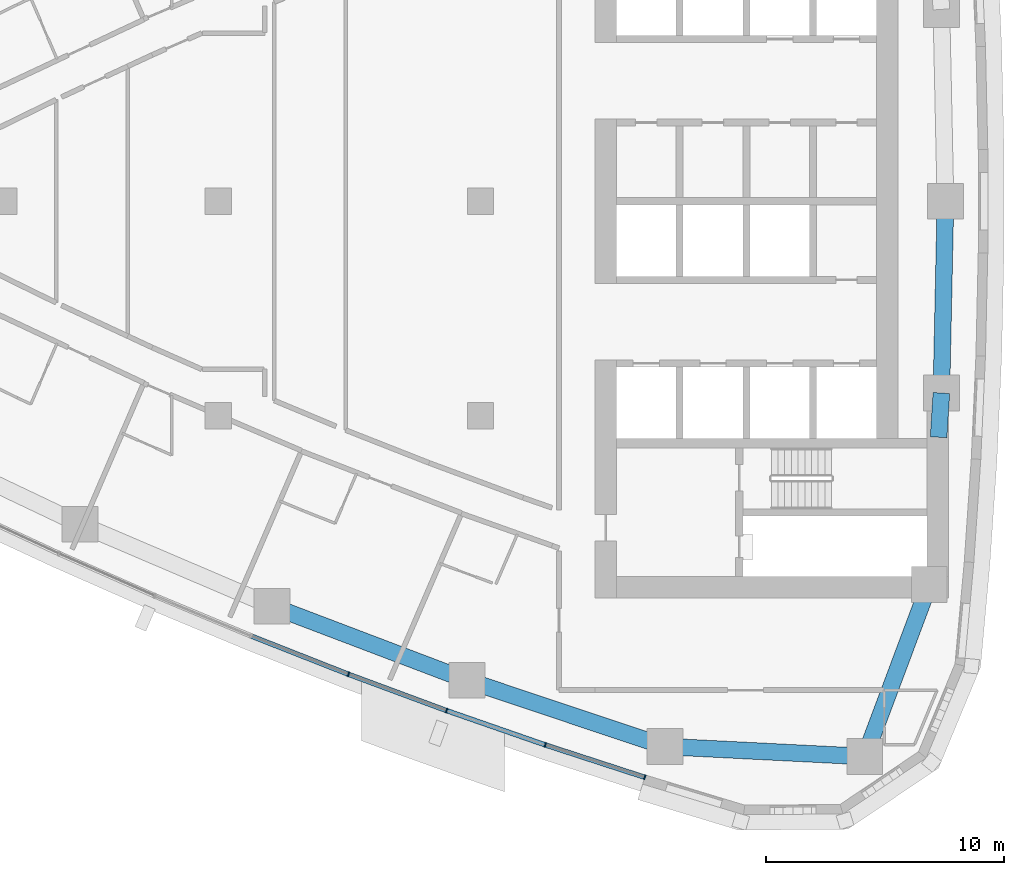
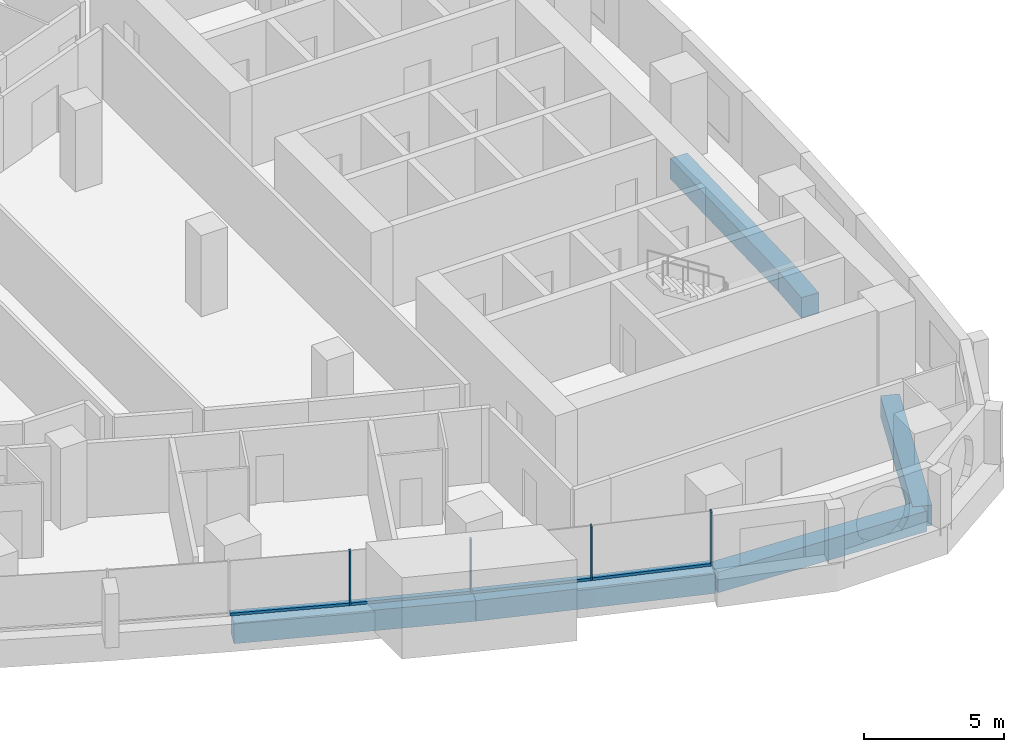
# One storey, part 3 of 17: 8 members, 6 beams, 2 elements without a shape of their own.
"""IFC4 building model written with IfcOpenShell, lengths in metres."""

from ifc_helpers import new_model, si_unit, direction, frame, origin, origin_2d, place, context, subcontext, project, spatial, rectangle, extrude, material, layer, layer_set, material_profile, profile_set, type_object, element, aggregate, save


model = new_model("IFC4")

# Units and contexts
model_context = context("Model", 3, precision=1e-05, world=origin(), true_north=direction((0.0, 1.0)))
body_context = subcontext(model_context, "Body", "Model", "MODEL_VIEW")
ifc_project = project(units=[si_unit("LENGTHUNIT", "METRE"), si_unit("AREAUNIT", "SQUARE_METRE"), si_unit("VOLUMEUNIT", "CUBIC_METRE"), si_unit("PLANEANGLEUNIT", "RADIAN"), si_unit("MASSUNIT", "GRAM", prefix="KILO")], contexts=[model_context])

# Site, building, storey
site_placement = place(None, origin())
site = spatial("IfcSite", under=ifc_project, at=site_placement, CompositionType="ELEMENT")
building_placement = place(site_placement, origin())
building = spatial("IfcBuilding", under=site, at=building_placement, Name="Ostrand Prow Hotel Tower", CompositionType="ELEMENT")
storey_placement = place(building_placement, frame((0.0, 0.0, 137.300048828125)))
storey = spatial("IfcBuildingStorey", under=building, at=storey_placement, Name="L33", CompositionType="ELEMENT", Elevation=137.300048828125)

# Beams
ifc_material_1 = material(Name="Concrete C70/85", Category="concrete")
ifc_material_profile_1 = material_profile(ifc_material_1, rectangle(XDim=0.699951171875, YDim=0.89990234375, at=origin_2d()), Name="RC 700x900")
ifc_profile_set_1 = profile_set([ifc_material_profile_1], Name="Concrete C70/85")
beam_type = type_object("IfcBeamType", Name="Edge beam 700x900 C70/85", PredefinedType="SPANDREL", material=ifc_profile_set_1)
for number, where, z_axis, x_axis, name in (
    (1, (36.255615234375, -16.98388671875, -0.75), (0.93479358236, -0.355191439055, 0.0), (0.355191439055, 0.93479358236, 0.0), "Edge beam S4-S5"),
    (2, (44.438232421875, -20.093017578125, -0.75), (0.948376051094, -0.317148018616, 0.0), (0.317148018616, 0.948376051094, 0.0), "Edge beam S5-S6"),
):
    element("IfcBeam", number, at=place(storey_placement, frame(where, z_axis=z_axis, x_axis=x_axis)), inside=storey, type_object=beam_type, Name=name, PredefinedType="SPANDREL", context=body_context, shape_type="SweptSolid", body=[
        extrude(rectangle(XDim=0.699951171875, YDim=0.89990234375, at=origin_2d()), origin(), (0.0, 0.0, 1.0), 8.75341796875),
    ])
beam_1_placement = place(storey_placement, frame((52.73974609375, -22.869140625, -0.75), z_axis=(0.99873741544, -0.050235196825, 0.0), x_axis=(0.050235196825, 0.99873741544, 0.0)))
element("IfcBeam", 3, at=beam_1_placement, inside=storey, type_object=beam_type, Name="Edge beam S6-SE", PredefinedType="SPANDREL", context=body_context, shape_type="SweptSolid", body=[
    extrude(rectangle(XDim=0.699951171875, YDim=0.89990234375, at=origin_2d()), origin(), (0.0, 0.0, 1.0), 8.38818359375),
])
beam_2_placement = place(storey_placement, frame((61.117431640625, -23.29052734375, -0.75), z_axis=(0.350602524344, 0.93652435629, 0.0), x_axis=(-0.93652435629, 0.350602524344, 0.0)))
element("IfcBeam", 4, at=beam_2_placement, inside=storey, type_object=beam_type, Name="Edge beam SE-B1", PredefinedType="SPANDREL", context=body_context, shape_type="SweptSolid", body=[
    extrude(rectangle(XDim=0.699951171875, YDim=0.89990234375, at=origin_2d()), origin(), (0.0, 0.0, 1.0), 7.037353515625),
])
beam_3_placement = place(storey_placement, frame((64.21142578125, -9.89990234375, -0.75), z_axis=(0.063563790544, 0.997977777574, 0.0), x_axis=(-0.997977777574, 0.063563790544, 0.0)))
element("IfcBeam", 5, at=beam_3_placement, inside=storey, type_object=beam_type, Name="Edge beam B1-B2", PredefinedType="SPANDREL", context=body_context, shape_type="SweptSolid", body=[
    extrude(rectangle(XDim=0.699951171875, YDim=0.89990234375, at=origin_2d()), origin(), (0.0, 0.0, 1.0), 1.85888671875),
])
beam_4_placement = place(storey_placement, frame((64.32958984375, -8.044677734375, -0.75), z_axis=(0.021178217658, 0.999775716397, 0.0), x_axis=(-0.999775716397, 0.021178217658, 0.0)))
element("IfcBeam", 6, at=beam_4_placement, inside=storey, type_object=beam_type, Name="Edge beam B2-B3", PredefinedType="SPANDREL", context=body_context, shape_type="SweptSolid", body=[
    extrude(rectangle(XDim=0.699951171875, YDim=0.89990234375, at=origin_2d()), origin(), (0.0, 0.0, 1.0), 8.04638671875),
])

# Curtain wall, members
ifc_material_2 = material(Name="Insulated glass in bronze anodised frame", Category="glass")
ifc_layer = layer(ifc_material_2, 0.199951171875)
ifc_layer_set = layer_set([ifc_layer], Name="Insulated glass in bronze anodised frame")
curtain_wall_type = type_object("IfcCurtainWallType", Name="Strip curtain wall, fritted glass over bronze spandrel", PredefinedType="NOTDEFINED", material=ifc_layer_set)
curtain_wall_1_placement = place(storey_placement, origin())
curtain_wall_1 = element("IfcCurtainWall", 7, at=curtain_wall_1_placement, inside=storey, type_object=curtain_wall_type, Name="CW1 run CWS4", PredefinedType="NOTDEFINED")
ifc_material_3 = material(Name="Bronze anodised aluminium", Category="aluminium")
ifc_material_profile_2 = material_profile(ifc_material_3, rectangle(XDim=0.199951171875, YDim=0.06005859375, at=origin_2d()), Name="Mullion 60x200 bronze anodised aluminium")
ifc_profile_set_2 = profile_set([ifc_material_profile_2], Name="Bronze anodised aluminium")
member_type_1 = type_object("IfcMemberType", Name="Mullion 60x200 bronze anodised aluminium", PredefinedType="MULLION", material=ifc_profile_set_2)
member_1_placement = place(storey_placement, frame((39.462158203125, -19.8408203125, 0.89990234375), z_axis=(0.0, 0.0, 1.0), x_axis=(0.347341576459, 0.937738678558, 0.0)))
member_1 = element("IfcMember", 8, at=member_1_placement, type_object=member_type_1, Name="CW1 mullion 2", PredefinedType="MULLION", context=body_context, shape_type="SweptSolid", body=[
    extrude(rectangle(XDim=0.199951171875, YDim=0.06005859375, at=origin_2d()), origin(), (0.0, 0.0, 1.0), 2.35009765625),
])
member_2_placement = place(storey_placement, frame((43.5751953125, -21.3642578125, 0.89990234375), z_axis=(0.0, 0.0, 1.0), x_axis=(0.347341576459, 0.937738678558, 0.0)))
member_2 = element("IfcMember", 9, at=member_2_placement, type_object=member_type_1, Name="CW1 mullion 3", PredefinedType="MULLION", context=body_context, shape_type="SweptSolid", body=[
    extrude(rectangle(XDim=0.199951171875, YDim=0.06005859375, at=origin_2d()), origin(), (0.0, 0.0, 1.0), 2.35009765625),
])

curtain_wall_2_placement = place(storey_placement, origin())
curtain_wall_2 = element("IfcCurtainWall", 10, at=curtain_wall_2_placement, inside=storey, type_object=curtain_wall_type, Name="CW1 run CWS5", PredefinedType="NOTDEFINED")
member_3_placement = place(storey_placement, frame((47.718017578125, -22.8046875, 0.89990234375), z_axis=(0.0, 0.0, 1.0), x_axis=(0.309380491373, 0.950938332153, 0.0)))
member_3 = element("IfcMember", 11, at=member_3_placement, type_object=member_type_1, Name="CW1 mullion 2", PredefinedType="MULLION", context=body_context, shape_type="SweptSolid", body=[
    extrude(rectangle(XDim=0.199951171875, YDim=0.06005859375, at=origin_2d()), origin(), (0.0, 0.0, 1.0), 2.35009765625),
])
member_4_placement = place(storey_placement, frame((51.888916015625, -24.16162109375, 0.89990234375), z_axis=(0.0, 0.0, 1.0), x_axis=(0.309380491373, 0.950938332153, 0.0)))
member_4 = element("IfcMember", 12, at=member_4_placement, type_object=member_type_1, Name="CW1 mullion 3", PredefinedType="MULLION", context=body_context, shape_type="SweptSolid", body=[
    extrude(rectangle(XDim=0.199951171875, YDim=0.06005859375, at=origin_2d()), origin(), (0.0, 0.0, 1.0), 2.35009765625),
])

# Member
ifc_material_4 = material(Name="Bronze anodised aluminium", Category="aluminium")
ifc_material_profile_3 = material_profile(ifc_material_4, rectangle(XDim=0.199951171875, YDim=0.1201171875, at=origin_2d()), Name="Transom 120x200 bronze anodised aluminium")
ifc_profile_set_3 = profile_set([ifc_material_profile_3], Name="Bronze anodised aluminium")
member_type_2 = type_object("IfcMemberType", Name="Transom 120x200 bronze anodised aluminium", PredefinedType="USERDEFINED", material=ifc_profile_set_3)
member_5_placement = place(storey_placement, frame((35.408447265625, -18.245849609375, 0.9599609375), z_axis=(0.930563430162, -0.366130717701, 0.0), x_axis=(0.366130717701, 0.930563430162, 0.0)))
member_5 = element("IfcMember", 13, at=member_5_placement, type_object=member_type_2, Name="CW1 transom 1.1", ObjectType="TRANSOM", PredefinedType="USERDEFINED", context=body_context, shape_type="SweptSolid", body=[
    extrude(rectangle(XDim=0.199951171875, YDim=0.1201171875, at=origin_2d()), origin(), (0.0, 0.0, 1.0), 4.326171875),
])

member_6_placement = place(storey_placement, frame((39.490234375, -19.851318359375, 0.9599609375), z_axis=(0.937756929379, -0.347292299657, 0.0), x_axis=(0.347292299657, 0.937756929379, 0.0)))
member_6 = element("IfcMember", 14, at=member_6_placement, type_object=member_type_2, Name="CW1 transom 2.1", ObjectType="TRANSOM", PredefinedType="USERDEFINED", context=body_context, shape_type="SweptSolid", body=[
    extrude(rectangle(XDim=0.199951171875, YDim=0.1201171875, at=origin_2d()), origin(), (0.0, 0.0, 1.0), 4.326171875),
])

aggregate(curtain_wall_1, [member_1, member_2, member_5, member_6])

member_7_placement = place(storey_placement, frame((43.603515625, -21.3740234375, 0.9599609375), z_axis=(0.944524201162, -0.328441826538, 0.0), x_axis=(0.328441826538, 0.944524201162, 0.0)))
member_7 = element("IfcMember", 15, at=member_7_placement, type_object=member_type_2, Name="CW1 transom 1.1", ObjectType="TRANSOM", PredefinedType="USERDEFINED", context=body_context, shape_type="SweptSolid", body=[
    extrude(rectangle(XDim=0.199951171875, YDim=0.1201171875, at=origin_2d()), origin(), (0.0, 0.0, 1.0), 4.326171875),
])

member_8_placement = place(storey_placement, frame((47.74658203125, -22.81396484375, 0.9599609375), z_axis=(0.950938634958, -0.309379560643, 0.0), x_axis=(0.309379560643, 0.950938634958, 0.0)))
member_8 = element("IfcMember", 16, at=member_8_placement, type_object=member_type_2, Name="CW1 transom 2.1", ObjectType="TRANSOM", PredefinedType="USERDEFINED", context=body_context, shape_type="SweptSolid", body=[
    extrude(rectangle(XDim=0.199951171875, YDim=0.1201171875, at=origin_2d()), origin(), (0.0, 0.0, 1.0), 4.325927734375),
])

aggregate(curtain_wall_2, [member_3, member_4, member_7, member_8])

save(model, "model.ifc")
